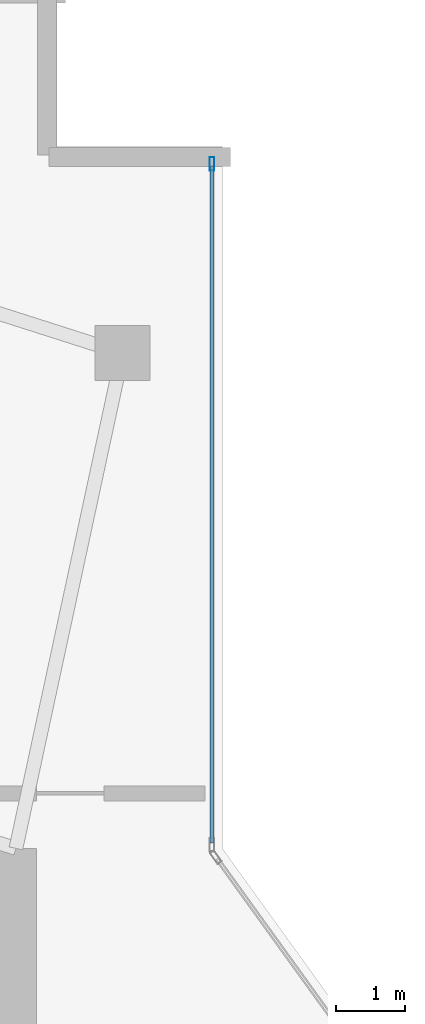
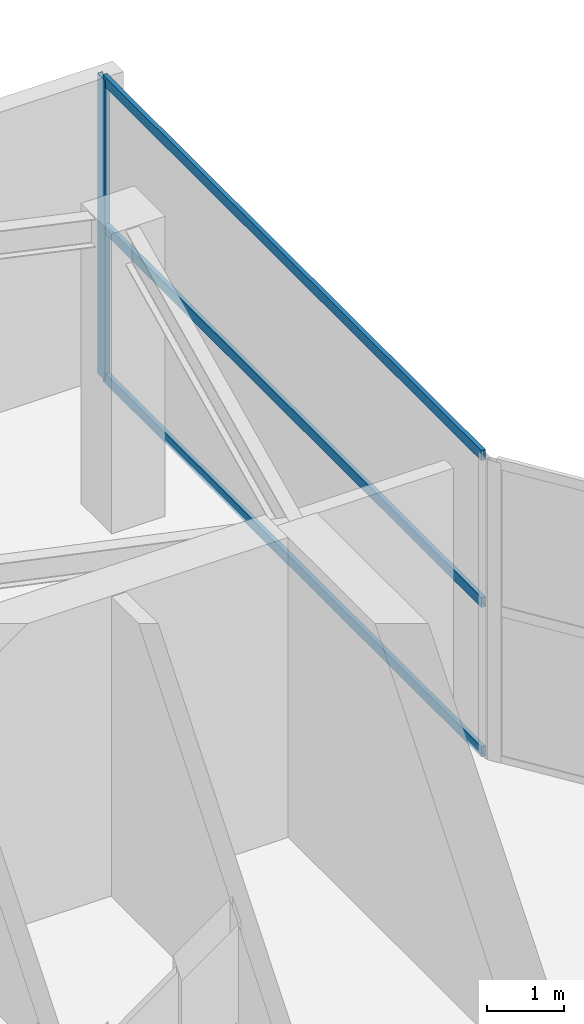
# One storey, part 17 of 21: 4 members, 1 element without a shape of its own.
"""IFC4 building model written with IfcOpenShell, lengths in metres."""

from ifc_helpers import new_model, si_unit, direction, frame, origin, origin_2d, place, context, subcontext, project, spatial, hollow_rectangle, extrude, material, layer, layer_set, material_profile, profile_set, type_object, element, aggregate, save


model = new_model("IFC4")

# Units and contexts
model_context = context("Model", 3, precision=1e-05, world=origin(), true_north=direction((0.0, 1.0)))
body_context = subcontext(model_context, "Body", "Model", "MODEL_VIEW")
ifc_project = project(units=[si_unit("LENGTHUNIT", "METRE"), si_unit("AREAUNIT", "SQUARE_METRE"), si_unit("VOLUMEUNIT", "CUBIC_METRE"), si_unit("PLANEANGLEUNIT", "RADIAN"), si_unit("MASSUNIT", "GRAM", prefix="KILO")], contexts=[model_context])

# Site, building, storey
site_placement = place(None, origin())
site = spatial("IfcSite", under=ifc_project, at=site_placement, CompositionType="ELEMENT")
building_placement = place(site_placement, origin())
building = spatial("IfcBuilding", under=site, at=building_placement, Name="Calvorn Quay Hotel", CompositionType="ELEMENT")
storey_placement = place(building_placement, frame((0.0, 0.0, 330.5)))
storey = spatial("IfcBuildingStorey", under=building, at=storey_placement, Name="L81", CompositionType="ELEMENT", Elevation=330.5)

# Curtain wall, members
ifc_material_1 = material(Name="Pale Anodised Aluminium and Laminated Glass", Category="aluminium")
ifc_layer = layer(ifc_material_1, 0.219970703125)
ifc_layer_set = layer_set([ifc_layer], Name="CW-SYS-CRN")
curtain_wall_type = type_object("IfcCurtainWallType", Name="CW-SYS-CRN", PredefinedType="NOTDEFINED", material=ifc_layer_set)
curtain_wall_placement = place(storey_placement, origin())
curtain_wall = element("IfcCurtainWall", 1, at=curtain_wall_placement, inside=storey, type_object=curtain_wall_type, Name="Crown Curtain Wall L81-C4", PredefinedType="NOTDEFINED")
ifc_material_2 = material(Name="Pale Anodised Aluminium 6063-T6", Category="aluminium")
ifc_material_profile_1 = material_profile(ifc_material_2, hollow_rectangle(XDim=0.072021484375, YDim=0.195068359375, WallThickness=0.00390625, at=origin_2d()), Name="ALU-M195x72x4")
ifc_profile_set_1 = profile_set([ifc_material_profile_1], Name="Pale Anodised Aluminium 6063-T6")
member_type_1 = type_object("IfcMemberType", Name="CW-SYS-CRN-MUL", PredefinedType="MULLION", material=ifc_profile_set_1)
member_1_placement = place(storey_placement, frame((17.85009765625, 48.35009765625, 0.0), z_axis=(0.0, 0.0, 1.0), x_axis=(-1.0, 0.0, 0.0)))
member_1 = element("IfcMember", 2, at=member_1_placement, type_object=member_type_1, Name="CW-L81-C4 mullion 2", PredefinedType="MULLION", context=body_context, shape_type="SweptSolid", body=[
    extrude(hollow_rectangle(XDim=0.072021484375, YDim=0.195068359375, WallThickness=0.00390625, at=origin_2d()), origin(), (0.0, 0.0, 1.0), 4.760009765625),
])
ifc_material_3 = material(Name="Pale Anodised Aluminium 6063-T6", Category="aluminium")
ifc_material_profile_2 = material_profile(ifc_material_3, hollow_rectangle(XDim=0.06201171875, YDim=0.159912109375, WallThickness=0.00341796875, at=origin_2d()), Name="ALU-T160x62x3.5")
ifc_profile_set_2 = profile_set([ifc_material_profile_2], Name="Pale Anodised Aluminium 6063-T6")
member_type_2 = type_object("IfcMemberType", Name="CW-SYS-CRN-TRN", PredefinedType="USERDEFINED", material=ifc_profile_set_2)
member_2_placement = place(storey_placement, frame((17.85009765625, 38.47998046875, 0.030029296875), z_axis=(0.0, 1.0, 0.0), x_axis=(-1.0, 0.0, 0.0)))
member_2 = element("IfcMember", 3, at=member_2_placement, type_object=member_type_2, Name="CW-L81-C4 transom 1.1", ObjectType="TRANSOM", PredefinedType="USERDEFINED", context=body_context, shape_type="SweptSolid", body=[
    extrude(hollow_rectangle(XDim=0.06201171875, YDim=0.159912109375, WallThickness=0.00341796875, at=origin_2d()), origin(), (0.0, 0.0, 1.0), 9.840087890625),
])
member_3_placement = place(storey_placement, frame((17.85009765625, 38.47998046875, 2.39990234375), z_axis=(0.0, 1.0, 0.0), x_axis=(-1.0, 0.0, 0.0)))
member_3 = element("IfcMember", 4, at=member_3_placement, type_object=member_type_2, Name="CW-L81-C4 transom 1.2", ObjectType="TRANSOM", PredefinedType="USERDEFINED", context=body_context, shape_type="SweptSolid", body=[
    extrude(hollow_rectangle(XDim=0.06201171875, YDim=0.159912109375, WallThickness=0.00341796875, at=origin_2d()), origin(), (0.0, 0.0, 1.0), 9.840087890625),
])
member_4_placement = place(storey_placement, frame((17.85009765625, 38.47998046875, 4.72998046875), z_axis=(0.0, 1.0, 0.0), x_axis=(-1.0, 0.0, 0.0)))
member_4 = element("IfcMember", 5, at=member_4_placement, type_object=member_type_2, Name="CW-L81-C4 transom 1.3", ObjectType="TRANSOM", PredefinedType="USERDEFINED", context=body_context, shape_type="SweptSolid", body=[
    extrude(hollow_rectangle(XDim=0.06201171875, YDim=0.159912109375, WallThickness=0.00341796875, at=origin_2d()), origin(), (0.0, 0.0, 1.0), 9.840087890625),
])
aggregate(curtain_wall, [member_1, member_2, member_3, member_4])

save(model, "model.ifc")
